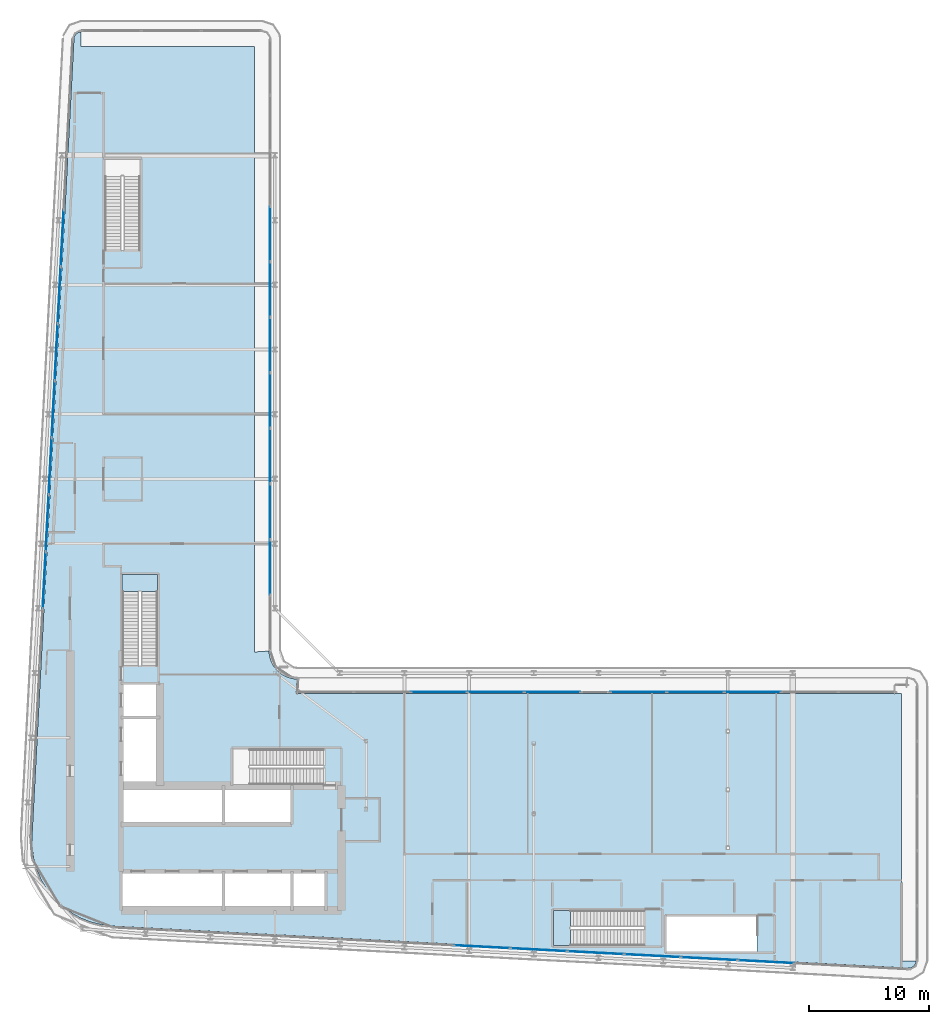
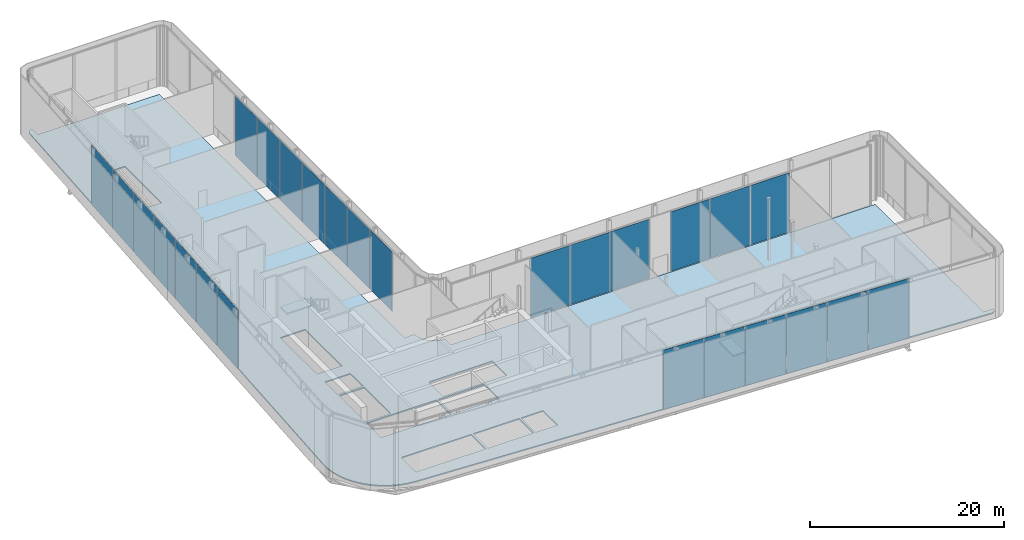
# One storey, part 23 of 38: 26 plates, 3 slabs, 7 elements without a shape of their own.
"""IFC4 building model written with IfcOpenShell, lengths in metres."""

from ifc_helpers import new_model, si_unit, direction, frame, origin, origin_2d, place, context, subcontext, project, spatial, polyline, rectangle, outline, extrude, material, layer, layer_set, type_object, element, aggregate, save


model = new_model("IFC4")

# Units and contexts
model_context = context("Model", 3, precision=1e-05, world=origin(), true_north=direction((0.0, 1.0)))
body_context = subcontext(model_context, "Body", "Model", "MODEL_VIEW")
ifc_project = project(units=[si_unit("LENGTHUNIT", "METRE"), si_unit("AREAUNIT", "SQUARE_METRE"), si_unit("VOLUMEUNIT", "CUBIC_METRE"), si_unit("PLANEANGLEUNIT", "RADIAN"), si_unit("MASSUNIT", "GRAM", prefix="KILO")], contexts=[model_context])

# Site, building, storey
site_placement = place(None, origin())
site = spatial("IfcSite", under=ifc_project, at=site_placement, CompositionType="ELEMENT")
building_placement = place(site_placement, origin())
building = spatial("IfcBuilding", under=site, at=building_placement, Name="Kheshtan School and Residences Tower", CompositionType="ELEMENT")
storey_placement = place(building_placement, frame((0.0, 0.0, 203.300048828125)))
storey = spatial("IfcBuildingStorey", under=building, at=storey_placement, Name="L48", CompositionType="ELEMENT", Elevation=203.300048828125)

# Curtain wall, plates
ifc_material_1 = material(Name="Clear low-e glass in thermally broken aluminium frame", Category="aluminium")
ifc_layer_1 = layer(ifc_material_1, 0.25)
ifc_layer_set_1 = layer_set([ifc_layer_1], Name="Curtain wall CW-G")
curtain_wall_type_1 = type_object("IfcCurtainWallType", Name="Curtain wall CW-G", PredefinedType="NOTDEFINED", material=ifc_layer_set_1)
curtain_wall_1_placement = place(storey_placement, origin())
curtain_wall_1 = element("IfcCurtainWall", 1, at=curtain_wall_1_placement, inside=storey, type_object=curtain_wall_type_1, Name="Curtain wall CWG5", PredefinedType="NOTDEFINED")
ifc_layer_2 = layer(ifc_material_1, 0.0380859375)
ifc_layer_set_2 = layer_set([ifc_layer_2], Name="CW-G glass panel")
plate_type_1 = type_object("IfcPlateType", Name="CW-G glass panel", PredefinedType="CURTAIN_PANEL", material=ifc_layer_set_2)
plate_1_placement = place(storey_placement, frame((61.280029296875, 44.0, 0.0), z_axis=(0.0, 0.0, 1.0), x_axis=(1.0, 0.0, 0.0)))
plate_1 = element("IfcPlate", 2, at=plate_1_placement, type_object=plate_type_1, Name="CWG5 panel 3.1", PredefinedType="CURTAIN_PANEL", context=body_context, shape_type="SweptSolid", body=[
    extrude(rectangle(XDim=4.679931640625, YDim=0.0380859375, at=origin_2d()), origin(), (0.0, 0.0, 1.0), 7.489990234375),
])
plate_2_placement = place(storey_placement, frame((66.02001953125, 44.0, 0.0), z_axis=(0.0, 0.0, 1.0), x_axis=(1.0, 0.0, 0.0)))
plate_2 = element("IfcPlate", 3, at=plate_2_placement, type_object=plate_type_1, Name="CWG5 panel 4.1", PredefinedType="CURTAIN_PANEL", context=body_context, shape_type="SweptSolid", body=[
    extrude(rectangle(XDim=4.679931640625, YDim=0.0380859375, at=origin_2d()), origin(), (0.0, 0.0, 1.0), 7.489990234375),
])
plate_3_placement = place(storey_placement, frame((70.7451171875, 44.0, 0.0), z_axis=(0.0, 0.0, 1.0), x_axis=(1.0, 0.0, 0.0)))
plate_3 = element("IfcPlate", 4, at=plate_3_placement, type_object=plate_type_1, Name="CWG5 panel 5.1", PredefinedType="CURTAIN_PANEL", context=body_context, shape_type="SweptSolid", body=[
    extrude(rectangle(XDim=4.64990234375, YDim=0.0380859375, at=origin_2d()), origin(), (0.0, 0.0, 1.0), 7.489990234375),
])
aggregate(curtain_wall_1, [plate_1, plate_2, plate_3])

curtain_wall_2_placement = place(storey_placement, origin())
curtain_wall_2 = element("IfcCurtainWall", 5, at=curtain_wall_2_placement, inside=storey, type_object=curtain_wall_type_1, Name="Curtain wall CWG5a", PredefinedType="NOTDEFINED")
plate_4_placement = place(storey_placement, frame((77.931884765625, 44.0, 0.0), z_axis=(0.0, 0.0, 1.0), x_axis=(1.0, 0.0, 0.0)))
plate_4 = element("IfcPlate", 6, at=plate_4_placement, type_object=plate_type_1, Name="CWG5a panel 1.1", PredefinedType="CURTAIN_PANEL", context=body_context, shape_type="SweptSolid", body=[
    extrude(rectangle(XDim=4.68408203125, YDim=0.0380859375, at=origin_2d()), origin(), (0.0, 0.0, 1.0), 7.489990234375),
])
plate_5_placement = place(storey_placement, frame((82.69091796875, 44.0, 0.0), z_axis=(0.0, 0.0, 1.0), x_axis=(1.0, 0.0, 0.0)))
plate_5 = element("IfcPlate", 7, at=plate_5_placement, type_object=plate_type_1, Name="CWG5a panel 2.1", PredefinedType="CURTAIN_PANEL", context=body_context, shape_type="SweptSolid", body=[
    extrude(rectangle(XDim=4.714111328125, YDim=0.0380859375, at=origin_2d()), origin(), (0.0, 0.0, 1.0), 7.489990234375),
])
plate_6_placement = place(storey_placement, frame((87.465087890625, 44.0, 0.0), z_axis=(0.0, 0.0, 1.0), x_axis=(1.0, 0.0, 0.0)))
plate_6 = element("IfcPlate", 8, at=plate_6_placement, type_object=plate_type_1, Name="CWG5a panel 3.1", PredefinedType="CURTAIN_PANEL", context=body_context, shape_type="SweptSolid", body=[
    extrude(rectangle(XDim=4.714111328125, YDim=0.0380859375, at=origin_2d()), origin(), (0.0, 0.0, 1.0), 7.489990234375),
])
aggregate(curtain_wall_2, [plate_4, plate_5, plate_6])

ifc_layer_3 = layer(ifc_material_1, 0.25)
ifc_layer_set_3 = layer_set([ifc_layer_3], Name="Curtain wall CW-K")
curtain_wall_type_2 = type_object("IfcCurtainWallType", Name="Curtain wall CW-K", PredefinedType="NOTDEFINED", material=ifc_layer_set_3)
curtain_wall_3_placement = place(storey_placement, origin())
curtain_wall_3 = element("IfcCurtainWall", 9, at=curtain_wall_3_placement, inside=storey, type_object=curtain_wall_type_2, Name="Curtain wall CWK14", PredefinedType="NOTDEFINED")
ifc_layer_4 = layer(ifc_material_1, 0.0380859375)
ifc_layer_set_4 = layer_set([ifc_layer_4], Name="CW-K glass panel")
plate_type_2 = type_object("IfcPlateType", Name="CW-K glass panel", PredefinedType="CURTAIN_PANEL", material=ifc_layer_set_4)
plate_7_placement = place(storey_placement, frame((88.58056640625, 21.507080078125, 0.0), z_axis=(0.0, 0.0, 1.0), x_axis=(-0.998617247391, 0.052569888839, 0.0)))
plate_7 = element("IfcPlate", 10, at=plate_7_placement, type_object=plate_type_2, Name="CWK14 panel 3.1", PredefinedType="CURTAIN_PANEL", context=body_context, shape_type="SweptSolid", body=[
    extrude(rectangle(XDim=4.6875, YDim=0.0380859375, at=origin_2d()), origin(), (0.0, 0.0, 1.0), 7.489990234375),
])
plate_8_placement = place(storey_placement, frame((83.83984375, 21.756591796875, 0.0), z_axis=(0.0, 0.0, 1.0), x_axis=(-0.998617247391, 0.052569888839, 0.0)))
plate_8 = element("IfcPlate", 11, at=plate_8_placement, type_object=plate_type_2, Name="CWK14 panel 4.1", PredefinedType="CURTAIN_PANEL", context=body_context, shape_type="SweptSolid", body=[
    extrude(rectangle(XDim=4.6875, YDim=0.0380859375, at=origin_2d()), origin(), (0.0, 0.0, 1.0), 7.489990234375),
])
plate_9_placement = place(storey_placement, frame((79.098876953125, 22.006103515625, 0.0), z_axis=(0.0, 0.0, 1.0), x_axis=(-0.998617247391, 0.052569888839, 0.0)))
plate_9 = element("IfcPlate", 12, at=plate_9_placement, type_object=plate_type_2, Name="CWK14 panel 5.1", PredefinedType="CURTAIN_PANEL", context=body_context, shape_type="SweptSolid", body=[
    extrude(rectangle(XDim=4.6875, YDim=0.0380859375, at=origin_2d()), origin(), (0.0, 0.0, 1.0), 7.489990234375),
])
plate_10_placement = place(storey_placement, frame((74.35791015625, 22.255859375, 0.0), z_axis=(0.0, 0.0, 1.0), x_axis=(-0.998617247391, 0.052569888839, 0.0)))
plate_10 = element("IfcPlate", 13, at=plate_10_placement, type_object=plate_type_2, Name="CWK14 panel 6.1", PredefinedType="CURTAIN_PANEL", context=body_context, shape_type="SweptSolid", body=[
    extrude(rectangle(XDim=4.6875, YDim=0.0380859375, at=origin_2d()), origin(), (0.0, 0.0, 1.0), 7.489990234375),
])
plate_11_placement = place(storey_placement, frame((69.6171875, 22.50537109375, 0.0), z_axis=(0.0, 0.0, 1.0), x_axis=(-0.998617247391, 0.052569888839, 0.0)))
plate_11 = element("IfcPlate", 14, at=plate_11_placement, type_object=plate_type_2, Name="CWK14 panel 7.1", PredefinedType="CURTAIN_PANEL", context=body_context, shape_type="SweptSolid", body=[
    extrude(rectangle(XDim=4.6875, YDim=0.0380859375, at=origin_2d()), origin(), (0.0, 0.0, 1.0), 7.489990234375),
])
plate_12_placement = place(storey_placement, frame((64.876220703125, 22.7548828125, 0.0), z_axis=(0.0, 0.0, 1.0), x_axis=(-0.998617247391, 0.052569888839, 0.0)))
plate_12 = element("IfcPlate", 15, at=plate_12_placement, type_object=plate_type_2, Name="CWK14 panel 8.1", PredefinedType="CURTAIN_PANEL", context=body_context, shape_type="SweptSolid", body=[
    extrude(rectangle(XDim=4.6875, YDim=0.0380859375, at=origin_2d()), origin(), (0.0, 0.0, 1.0), 7.489990234375),
])
aggregate(curtain_wall_3, [plate_7, plate_8, plate_9, plate_10, plate_11, plate_12])

curtain_wall_4_placement = place(storey_placement, origin())
curtain_wall_4 = element("IfcCurtainWall", 16, at=curtain_wall_4_placement, inside=storey, type_object=curtain_wall_type_2, Name="Curtain wall CWK18", PredefinedType="NOTDEFINED")
plate_13_placement = place(storey_placement, frame((28.345703125, 53.36083984375, 0.0), z_axis=(0.0, 0.0, 1.0), x_axis=(0.05256513568, 0.998617497599, 0.0)))
plate_13 = element("IfcPlate", 17, at=plate_13_placement, type_object=plate_type_2, Name="CWK18 panel 5.1", PredefinedType="CURTAIN_PANEL", context=body_context, shape_type="SweptSolid", body=[
    extrude(rectangle(XDim=4.69873046875, YDim=0.0380859375, at=origin_2d()), origin(), (0.0, 0.0, 1.0), 7.489990234375),
])
plate_14_placement = place(storey_placement, frame((28.595947265625, 58.113037109375, 0.0), z_axis=(0.0, 0.0, 1.0), x_axis=(0.05256513568, 0.998617497599, 0.0)))
plate_14 = element("IfcPlate", 18, at=plate_14_placement, type_object=plate_type_2, Name="CWK18 panel 6.1", PredefinedType="CURTAIN_PANEL", context=body_context, shape_type="SweptSolid", body=[
    extrude(rectangle(XDim=4.69873046875, YDim=0.0380859375, at=origin_2d()), origin(), (0.0, 0.0, 1.0), 7.489990234375),
])
plate_15_placement = place(storey_placement, frame((28.845947265625, 62.865234375, 0.0), z_axis=(0.0, 0.0, 1.0), x_axis=(0.05256513568, 0.998617497599, 0.0)))
plate_15 = element("IfcPlate", 19, at=plate_15_placement, type_object=plate_type_2, Name="CWK18 panel 7.1", PredefinedType="CURTAIN_PANEL", context=body_context, shape_type="SweptSolid", body=[
    extrude(rectangle(XDim=4.69873046875, YDim=0.0380859375, at=origin_2d()), origin(), (0.0, 0.0, 1.0), 7.489990234375),
])
plate_16_placement = place(storey_placement, frame((29.09619140625, 67.617431640625, 0.0), z_axis=(0.0, 0.0, 1.0), x_axis=(0.05256513568, 0.998617497599, 0.0)))
plate_16 = element("IfcPlate", 20, at=plate_16_placement, type_object=plate_type_2, Name="CWK18 panel 8.1", PredefinedType="CURTAIN_PANEL", context=body_context, shape_type="SweptSolid", body=[
    extrude(rectangle(XDim=4.69873046875, YDim=0.0380859375, at=origin_2d()), origin(), (0.0, 0.0, 1.0), 7.489990234375),
])
plate_17_placement = place(storey_placement, frame((29.346435546875, 72.369384765625, 0.0), z_axis=(0.0, 0.0, 1.0), x_axis=(0.05256513568, 0.998617497599, 0.0)))
plate_17 = element("IfcPlate", 21, at=plate_17_placement, type_object=plate_type_2, Name="CWK18 panel 9.1", PredefinedType="CURTAIN_PANEL", context=body_context, shape_type="SweptSolid", body=[
    extrude(rectangle(XDim=4.69873046875, YDim=0.0380859375, at=origin_2d()), origin(), (0.0, 0.0, 1.0), 7.489990234375),
])
plate_18_placement = place(storey_placement, frame((29.596435546875, 77.12158203125, 0.0), z_axis=(0.0, 0.0, 1.0), x_axis=(0.05256513568, 0.998617497599, 0.0)))
plate_18 = element("IfcPlate", 22, at=plate_18_placement, type_object=plate_type_2, Name="CWK18 panel 10.1", PredefinedType="CURTAIN_PANEL", context=body_context, shape_type="SweptSolid", body=[
    extrude(rectangle(XDim=4.69873046875, YDim=0.0380859375, at=origin_2d()), origin(), (0.0, 0.0, 1.0), 7.489990234375),
])
plate_19_placement = place(storey_placement, frame((29.8466796875, 81.873779296875, 0.0), z_axis=(0.0, 0.0, 1.0), x_axis=(0.05256513568, 0.998617497599, 0.0)))
plate_19 = element("IfcPlate", 23, at=plate_19_placement, type_object=plate_type_2, Name="CWK18 panel 11.1", PredefinedType="CURTAIN_PANEL", context=body_context, shape_type="SweptSolid", body=[
    extrude(rectangle(XDim=4.69873046875, YDim=0.0380859375, at=origin_2d()), origin(), (0.0, 0.0, 1.0), 7.489990234375),
])
aggregate(curtain_wall_4, [plate_13, plate_14, plate_15, plate_16, plate_17, plate_18, plate_19])

curtain_wall_5_placement = place(storey_placement, origin())
curtain_wall_5 = element("IfcCurtainWall", 24, at=curtain_wall_5_placement, inside=storey, type_object=curtain_wall_type_2, Name="Curtain wall CWK24", PredefinedType="NOTDEFINED")
plate_20_placement = place(storey_placement, frame((47.199951171875, 82.242431640625, 0.0), z_axis=(0.0, 0.0, 1.0), x_axis=(0.0, -1.0, 0.0)))
plate_20 = element("IfcPlate", 25, at=plate_20_placement, type_object=plate_type_2, Name="CWK24 panel 4.1", PredefinedType="CURTAIN_PANEL", context=body_context, shape_type="SweptSolid", body=[
    extrude(rectangle(XDim=4.576416015625, YDim=0.0380859375, at=origin_2d()), origin(), (0.0, 0.0, 1.0), 7.489990234375),
])
plate_21_placement = place(storey_placement, frame((47.199951171875, 77.60595703125, 0.0), z_axis=(0.0, 0.0, 1.0), x_axis=(0.0, -1.0, 0.0)))
plate_21 = element("IfcPlate", 26, at=plate_21_placement, type_object=plate_type_2, Name="CWK24 panel 5.1", PredefinedType="CURTAIN_PANEL", context=body_context, shape_type="SweptSolid", body=[
    extrude(rectangle(XDim=4.576416015625, YDim=0.0380859375, at=origin_2d()), origin(), (0.0, 0.0, 1.0), 7.489990234375),
])
plate_22_placement = place(storey_placement, frame((47.199951171875, 72.969482421875, 0.0), z_axis=(0.0, 0.0, 1.0), x_axis=(0.0, -1.0, 0.0)))
plate_22 = element("IfcPlate", 27, at=plate_22_placement, type_object=plate_type_2, Name="CWK24 panel 6.1", PredefinedType="CURTAIN_PANEL", context=body_context, shape_type="SweptSolid", body=[
    extrude(rectangle(XDim=4.576416015625, YDim=0.0380859375, at=origin_2d()), origin(), (0.0, 0.0, 1.0), 7.489990234375),
])
plate_23_placement = place(storey_placement, frame((47.199951171875, 68.3330078125, 0.0), z_axis=(0.0, 0.0, 1.0), x_axis=(0.0, -1.0, 0.0)))
plate_23 = element("IfcPlate", 28, at=plate_23_placement, type_object=plate_type_2, Name="CWK24 panel 7.1", PredefinedType="CURTAIN_PANEL", context=body_context, shape_type="SweptSolid", body=[
    extrude(rectangle(XDim=4.576416015625, YDim=0.0380859375, at=origin_2d()), origin(), (0.0, 0.0, 1.0), 7.489990234375),
])
plate_24_placement = place(storey_placement, frame((47.199951171875, 63.696533203125, 0.0), z_axis=(0.0, 0.0, 1.0), x_axis=(0.0, -1.0, 0.0)))
plate_24 = element("IfcPlate", 29, at=plate_24_placement, type_object=plate_type_2, Name="CWK24 panel 8.1", PredefinedType="CURTAIN_PANEL", context=body_context, shape_type="SweptSolid", body=[
    extrude(rectangle(XDim=4.576416015625, YDim=0.0380859375, at=origin_2d()), origin(), (0.0, 0.0, 1.0), 7.489990234375),
])
plate_25_placement = place(storey_placement, frame((47.199951171875, 59.06005859375, 0.0), z_axis=(0.0, 0.0, 1.0), x_axis=(0.0, -1.0, 0.0)))
plate_25 = element("IfcPlate", 30, at=plate_25_placement, type_object=plate_type_2, Name="CWK24 panel 9.1", PredefinedType="CURTAIN_PANEL", context=body_context, shape_type="SweptSolid", body=[
    extrude(rectangle(XDim=4.576416015625, YDim=0.0380859375, at=origin_2d()), origin(), (0.0, 0.0, 1.0), 7.489990234375),
])
plate_26_placement = place(storey_placement, frame((47.199951171875, 54.423583984375, 0.0), z_axis=(0.0, 0.0, 1.0), x_axis=(0.0, -1.0, 0.0)))
plate_26 = element("IfcPlate", 31, at=plate_26_placement, type_object=plate_type_2, Name="CWK24 panel 10.1", PredefinedType="CURTAIN_PANEL", context=body_context, shape_type="SweptSolid", body=[
    extrude(rectangle(XDim=4.576416015625, YDim=0.0380859375, at=origin_2d()), origin(), (0.0, 0.0, 1.0), 7.489990234375),
])
aggregate(curtain_wall_5, [plate_20, plate_21, plate_22, plate_23, plate_24, plate_25, plate_26])

# Slab
ifc_material_2 = material(Name="Concrete C40/50", Category="concrete")
ifc_layer_5 = layer(ifc_material_2, 0.14990234375)
ifc_layer_set_5 = layer_set([ifc_layer_5], Name="Floor slab 150 Concrete C40/50")
slab_type_1 = type_object("IfcSlabType", Name="Floor slab 150 Concrete C40/50", PredefinedType="FLOOR", material=ifc_layer_set_5)
slab_1_placement = place(storey_placement, frame((0.0, 0.0, -0.150146484375)))
element("IfcSlab", 32, at=slab_1_placement, inside=storey, type_object=slab_type_1, Name="Floor slab L48", PredefinedType="FLOOR", context=body_context, shape_type="SweptSolid", body=[
    extrude(outline(polyline([(30.931884765625, 98.840087890625), (30.98291015625, 98.904052734375), (31.04296875, 98.9619140625), (31.10693359375, 99.008056640625), (31.18310546875, 99.047119140625), (31.260986328125, 99.074951171875), (31.341064453125, 99.092041015625), (31.423095703125, 99.097900390625), (31.423095703125, 97.902099609375), (31.423095703125, 97.90087890625), (31.424072265625, 97.89990234375), (31.425048828125, 97.89990234375), (45.85009765625, 97.89990234375), (45.85498046875, 97.89990234375), (45.860107421875, 97.89892578125), (45.864990234375, 97.89794921875), (45.868896484375, 97.89599609375), (45.8740234375, 97.89404296875), (45.8779296875, 97.89208984375), (45.882080078125, 97.888916015625), (45.885009765625, 97.885009765625), (45.888916015625, 97.882080078125), (45.89208984375, 97.8779296875), (45.89404296875, 97.8740234375), (45.89599609375, 97.868896484375), (45.89794921875, 97.864990234375), (45.89892578125, 97.860107421875), (45.89990234375, 97.85498046875), (45.89990234375, 97.85009765625), (45.89990234375, 47.501953125), (45.89990234375, 47.5009765625), (45.90087890625, 47.5), (45.89990234375, 47.5), (45.89990234375, 47.429931640625), (45.905029296875, 47.361083984375), (47.10205078125, 47.43994140625), (47.118896484375, 47.18603515625), (47.179931640625, 46.87890625), (47.281005859375, 46.5810546875), (47.419921875, 46.299072265625), (47.593994140625, 46.0390625), (47.801025390625, 45.801025390625), (48.0390625, 45.593994140625), (48.299072265625, 45.419921875), (48.5810546875, 45.281005859375), (48.87890625, 45.179931640625), (49.18603515625, 45.118896484375), (49.43994140625, 45.10205078125), (49.361083984375, 43.905029296875), (49.429931640625, 43.89990234375), (49.5009765625, 43.89990234375), (49.501953125, 43.89990234375), (99.39990234375, 43.89990234375), (99.85009765625, 43.89990234375), (99.85498046875, 43.89990234375), (99.860107421875, 43.89892578125), (99.864990234375, 43.89794921875), (99.868896484375, 43.89599609375), (99.8740234375, 43.89404296875), (99.8779296875, 43.89208984375), (99.882080078125, 43.888916015625), (99.885009765625, 43.885009765625), (99.888916015625, 43.882080078125), (99.89208984375, 43.8779296875), (99.89404296875, 43.8740234375), (99.89599609375, 43.868896484375), (99.89794921875, 43.864990234375), (99.89892578125, 43.860107421875), (99.89990234375, 43.85498046875), (99.89990234375, 43.85009765625), (99.89990234375, 21.5830078125), (99.89990234375, 21.58203125), (99.90087890625, 21.5810546875), (99.902099609375, 21.5810546875), (101.097900390625, 21.5810546875), (101.092041015625, 21.5009765625), (101.075927734375, 21.4208984375), (101.049072265625, 21.343017578125), (101.011962890625, 21.27099609375), (100.968017578125, 21.2080078125), (100.912109375, 21.14794921875), (100.847900390625, 21.094970703125), (100.781005859375, 21.052978515625), (100.708984375, 21.02099609375), (100.6279296875, 20.9970703125), (100.548095703125, 20.985107421875), (100.444091796875, 20.98291015625), (100.43798828125, 20.98291015625), (34.056884765625, 24.47802734375), (33.114990234375, 24.590087890625), (32.215087890625, 24.819091796875), (31.35205078125, 25.1630859375), (30.541015625, 25.616943359375), (29.798095703125, 26.172119140625), (29.134033203125, 26.820068359375), (28.55908203125, 27.550048828125), (28.0849609375, 28.345947265625), (27.718017578125, 29.200927734375), (27.466064453125, 30.093994140625), (27.3330078125, 31.013916015625), (27.320068359375, 31.965087890625), (27.320068359375, 31.970947265625), (30.822021484375, 98.5009765625), (30.822998046875, 98.508056640625), (30.8359375, 98.613037109375), (30.85693359375, 98.69189453125), (30.888916015625, 98.77001953125), (30.931884765625, 98.840087890625)]), holes=[polyline([(34.875, 28.925048828125), (34.875, 25.925048828125), (43.175048828125, 25.925048828125), (43.175048828125, 28.925048828125), (34.875, 28.925048828125)]), polyline([(43.175048828125, 36.074951171875), (34.875, 36.074951171875), (34.875, 33.074951171875), (43.175048828125, 33.074951171875), (43.175048828125, 36.074951171875)]), polyline([(34.875, 41.77490234375), (34.875, 36.324951171875), (37.875, 36.324951171875), (37.875, 41.77490234375), (34.875, 41.77490234375)]), polyline([(34.875, 42.02490234375), (37.875, 42.02490234375), (37.875, 44.625), (34.875, 44.625), (34.875, 42.02490234375)]), polyline([(37.800048828125, 46.25), (37.800048828125, 53.81005859375), (34.85009765625, 53.81005859375), (34.85009765625, 46.260009765625), (36.25, 46.260009765625), (36.25, 46.25), (37.800048828125, 46.25)]), polyline([(33.39990234375, 88.4599609375), (33.39990234375, 80.909912109375), (34.800048828125, 80.909912109375), (34.800048828125, 80.89990234375), (36.35009765625, 80.89990234375), (36.35009765625, 88.4599609375), (33.39990234375, 88.4599609375)]), polyline([(87.81005859375, 22.35009765625), (87.81005859375, 23.75), (87.820068359375, 23.75), (87.820068359375, 25.300048828125), (80.260009765625, 25.300048828125), (80.260009765625, 22.35009765625), (87.81005859375, 22.35009765625)]), polyline([(70.85009765625, 22.85009765625), (78.39990234375, 22.85009765625), (78.39990234375, 24.25), (78.409912109375, 24.25), (78.409912109375, 25.800048828125), (70.85009765625, 25.800048828125), (70.85009765625, 22.85009765625)]), polyline([(43.425048828125, 25.925048828125), (48.875, 25.925048828125), (48.875, 28.925048828125), (43.425048828125, 28.925048828125), (43.425048828125, 25.925048828125)]), polyline([(49.125, 25.925048828125), (51.72509765625, 25.925048828125), (51.72509765625, 28.925048828125), (49.125, 28.925048828125), (49.125, 25.925048828125)]), polyline([(43.425048828125, 33.074951171875), (48.875, 33.074951171875), (48.875, 36.074951171875), (43.425048828125, 36.074951171875), (43.425048828125, 33.074951171875)]), polyline([(51.64990234375, 39.25), (44.090087890625, 39.25), (44.090087890625, 36.300048828125), (51.639892578125, 36.300048828125), (51.639892578125, 37.699951171875), (51.64990234375, 37.699951171875), (51.64990234375, 39.25)])]), origin(), (0.0, 0.0, 1.0), 0.150146484375),
])

# Stair, slab
stair_type = type_object("IfcStairType", Name="Exit stair, half-turn", PredefinedType="HALF_TURN_STAIR", material=ifc_material_2)
stair_1_placement = place(storey_placement, origin())
stair_1 = element("IfcStair", 33, at=stair_1_placement, inside=storey, type_object=stair_type, Name="L48 Protected Exit Stair ST2", PredefinedType="HALF_TURN_STAIR")
ifc_layer_6 = layer(ifc_material_2, 0.199951171875)
ifc_layer_set_6 = layer_set([ifc_layer_6], Name="Stair landing 200 Concrete C40/50")
slab_type_2 = type_object("IfcSlabType", Name="Stair landing 200 Concrete C40/50", PredefinedType="LANDING", material=ifc_layer_set_6)
slab_2_placement = place(storey_placement, frame((0.0, 0.0, 3.699951171875)))
slab_2 = element("IfcSlab", 34, at=slab_2_placement, type_object=slab_type_2, Name="ST2 landing 1", PredefinedType="LANDING", context=body_context, shape_type="SweptSolid", body=[
    extrude(outline(polyline([(37.800048828125, 52.409912109375), (37.800048828125, 53.81005859375), (34.85009765625, 53.81005859375), (34.85009765625, 52.409912109375), (37.800048828125, 52.409912109375)])), origin(), (0.0, 0.0, 1.0), 0.199951171875),
])
aggregate(stair_1, [slab_2])

stair_2_placement = place(storey_placement, origin())
stair_2 = element("IfcStair", 35, at=stair_2_placement, inside=storey, type_object=stair_type, Name="L48 Protected Exit Stair ST5", PredefinedType="HALF_TURN_STAIR")
slab_3_placement = place(storey_placement, frame((0.0, 0.0, 3.699951171875)))
slab_3 = element("IfcSlab", 36, at=slab_3_placement, type_object=slab_type_2, Name="ST5 landing 1", PredefinedType="LANDING", context=body_context, shape_type="SweptSolid", body=[
    extrude(outline(polyline([(72.25, 25.800048828125), (70.85009765625, 25.800048828125), (70.85009765625, 22.85009765625), (72.25, 22.85009765625), (72.25, 25.800048828125)])), origin(), (0.0, 0.0, 1.0), 0.199951171875),
])
aggregate(stair_2, [slab_3])

save(model, "model.ifc")
